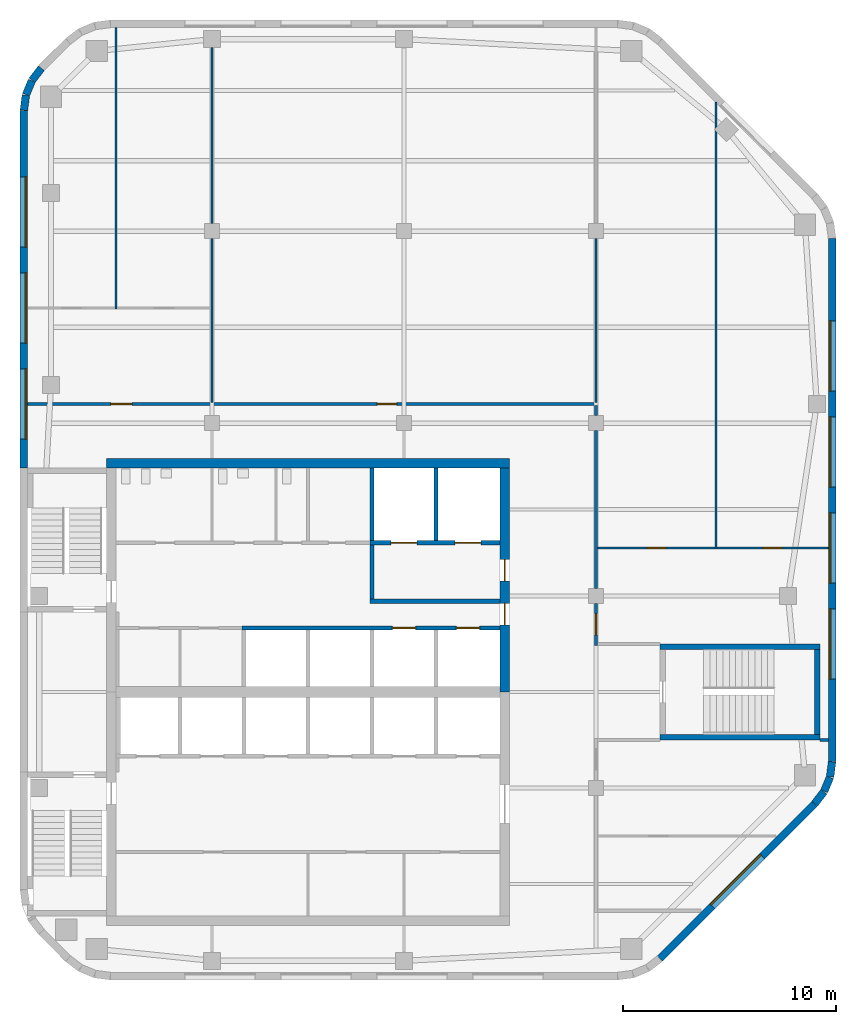
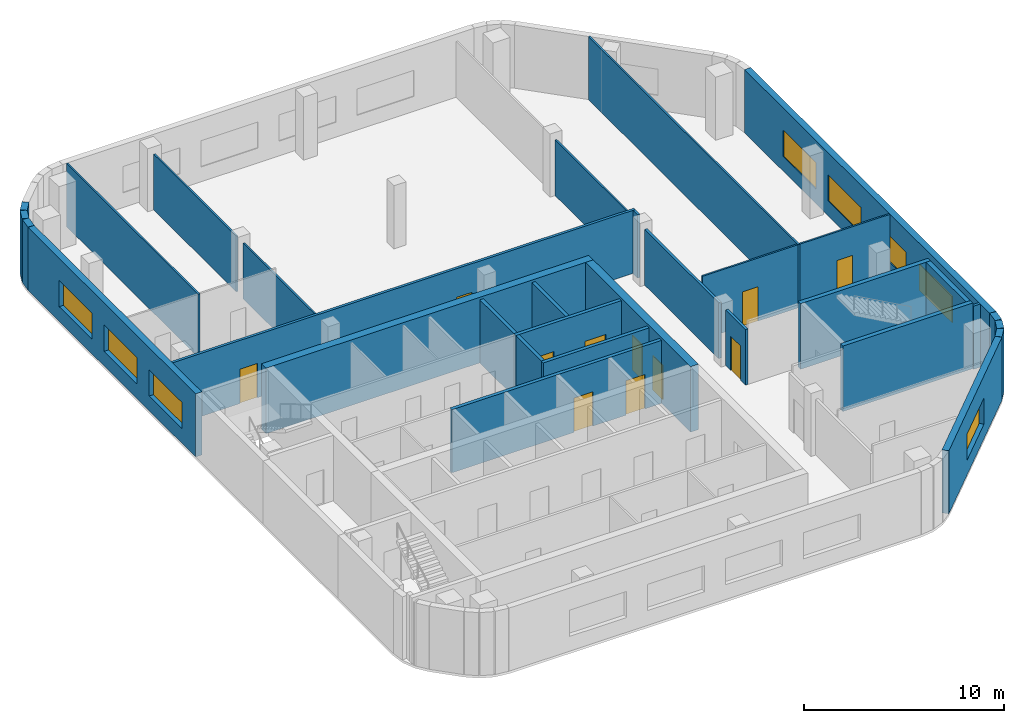
# One storey, part 4 of 7: 32 walls, 11 doors, 8 windows, 19 openings.
"""IFC4 building model written with IfcOpenShell, lengths in metres."""

from ifc_helpers import new_model, si_unit, direction, frame, frame_2d, origin, place, context, subcontext, project, spatial, rectangle, extrude, material, layer, layer_set, type_object, element, fill, save


model = new_model("IFC4")

# Units and contexts
model_context = context("Model", 3, precision=1e-05, world=origin(), true_north=direction((0.0, 1.0)))
body_context = subcontext(model_context, "Body", "Model", "MODEL_VIEW")
ifc_project = project(units=[si_unit("LENGTHUNIT", "METRE"), si_unit("AREAUNIT", "SQUARE_METRE"), si_unit("VOLUMEUNIT", "CUBIC_METRE"), si_unit("PLANEANGLEUNIT", "RADIAN"), si_unit("MASSUNIT", "GRAM", prefix="KILO")], contexts=[model_context])

# Site, building, storey
site_placement = place(None, origin())
site = spatial("IfcSite", under=ifc_project, at=site_placement, CompositionType="ELEMENT")
building_placement = place(site_placement, origin())
building = spatial("IfcBuilding", under=site, at=building_placement, Name="Cinnabar Reach Civic Tower", CompositionType="ELEMENT")
storey_placement = place(building_placement, frame((0.0, 0.0, 271.0)))
storey = spatial("IfcBuildingStorey", under=building, at=storey_placement, Name="L65", CompositionType="ELEMENT", Elevation=271.0)

# Walls
ifc_material_1 = material(Name="Facing brick with insulated backing", Category="masonry")
ifc_layer_1 = layer(ifc_material_1, 0.36)
ifc_layer_set_1 = layer_set([ifc_layer_1], Name="Brick corner wall")
wall_type_1 = type_object("IfcWallType", Name="Brick corner wall", PredefinedType="STANDARD", material=ifc_layer_set_1)
wall_1_placement = place(storey_placement, frame((37.2498, 26.2587, 0.0), z_axis=(0.0, 0.0, 1.0), x_axis=(0.608802368033, 0.793321924995, 0.0)))
element("IfcWall", 1, at=wall_1_placement, inside=storey, type_object=wall_type_1, Name="Brick corner wall", PredefinedType="STANDARD", context=body_context, shape_type="SweptSolid", body=[
    extrude(rectangle(XDim=0.7132, YDim=0.36, at=frame_2d((0.3566, 0.0))), origin(), (0.0, 0.0, 1.0), 3.85),
])
for number, where, z_axis, x_axis, name in (
    (2, (37.6952, 26.8439, 0.0), (0.0, 0.0, 1.0), (0.382702709855, 0.923871547278, 0.0), "Brick corner wall"),
    (3, (37.9739, 27.5244, 0.0), (0.0, 0.0, 1.0), (0.13055608231, 0.99144092581, 0.0), "Brick corner wall"),
):
    element("IfcWall", number, at=place(storey_placement, frame(where, z_axis=z_axis, x_axis=x_axis)), inside=storey, type_object=wall_type_1, Name=name, PredefinedType="STANDARD", context=body_context, shape_type="SweptSolid", body=[
        extrude(rectangle(XDim=0.7131, YDim=0.36, at=frame_2d((0.3565, 0.0))), origin(), (0.0, 0.0, 1.0), 3.85),
    ])
wall_2_placement = place(storey_placement, frame((1.0002, 60.7413, 0.0), z_axis=(0.0, 0.0, 1.0), x_axis=(-0.608802368033, -0.793321924995, 0.0)))
element("IfcWall", 4, at=wall_2_placement, inside=storey, type_object=wall_type_1, Name="Brick corner wall", PredefinedType="STANDARD", context=body_context, shape_type="SweptSolid", body=[
    extrude(rectangle(XDim=0.7132, YDim=0.36, at=frame_2d((0.3566, 0.0))), origin(), (0.0, 0.0, 1.0), 3.85),
])
for number, where, z_axis, x_axis, name in (
    (5, (0.5548, 60.1561, 0.0), (0.0, 0.0, 1.0), (-0.382702709855, -0.923871547278, 0.0), "Brick corner wall"),
    (6, (0.2761, 59.4756, 0.0), (0.0, 0.0, 1.0), (-0.13055608231, -0.99144092581, 0.0), "Brick corner wall"),
):
    element("IfcWall", number, at=place(storey_placement, frame(where, z_axis=z_axis, x_axis=x_axis)), inside=storey, type_object=wall_type_1, Name=name, PredefinedType="STANDARD", context=body_context, shape_type="SweptSolid", body=[
        extrude(rectangle(XDim=0.7131, YDim=0.36, at=frame_2d((0.3565, 0.0))), origin(), (0.0, 0.0, 1.0), 3.85),
    ])

# Wall, opening, window
ifc_layer_2 = layer(ifc_material_1, 0.36)
ifc_layer_set_2 = layer_set([ifc_layer_2], Name="Brick pier and spandrel wall")
wall_type_2 = type_object("IfcWallType", Name="Brick pier and spandrel wall", PredefinedType="STANDARD", material=ifc_layer_set_2)
wall_3_placement = place(storey_placement, frame((30.0014, 19.006, 0.0), z_axis=(0.0, 0.0, 1.0), x_axis=(0.707106781187, 0.707106781187, 0.0)))
wall_3 = element("IfcWall", 7, at=wall_3_placement, inside=storey, type_object=wall_type_2, Name="Brick facade wall", PredefinedType="STANDARD", context=body_context, shape_type="SweptSolid", body=[
    extrude(rectangle(XDim=10.2426, YDim=0.36, at=frame_2d((5.1213, 0.0))), origin(), (0.0, 0.0, 1.0), 3.85),
])
opening_1_placement = place(wall_3_placement, frame((3.4713, 0.0, 0.9)))
opening_1 = element("IfcOpeningElement", 8, at=opening_1_placement, cuts=wall_3, Name="Opening W2283", PredefinedType="OPENING", context=body_context, shape_type="SweptSolid", body=[
    extrude(rectangle(XDim=3.3, YDim=1.6, at=frame_2d((1.65, 0.8))), frame((0.0, 0.19, 0.0), z_axis=(0.0, -1.0, 0.0), x_axis=(1.0, 0.0, 0.0)), (0.0, 0.0, 1.0), 0.38),
])
ifc_material_2 = material(Name="Clear double glazing in aluminium frame", Category="aluminium")
window_type = type_object("IfcWindowType", Name="Deep-set window A", PartitioningType="SINGLE_PANEL", PredefinedType="WINDOW", material=ifc_material_2)
window_1_placement = place(opening_1_placement, origin())
window_1 = element("IfcWindow", 9, at=window_1_placement, inside=storey, type_object=window_type, Name="Window southeast face", OverallHeight=1.6, OverallWidth=3.3, PartitioningType="SINGLE_PANEL", PredefinedType="WINDOW", context=body_context, shape_type="SweptSolid", body=[
    extrude(rectangle(XDim=3.3, YDim=1.6, at=frame_2d((1.65, 0.8))), frame((0.0, 0.13, 0.0), z_axis=(0.0, -1.0, 0.0), x_axis=(1.0, 0.0, 0.0)), (0.0, 0.0, 1.0), 0.06),
])
fill(opening_1, window_1)

# Wall, openings, windows
wall_4_placement = place(storey_placement, frame((38.07, 28.2426, 0.0), z_axis=(0.0, 0.0, 1.0), x_axis=(0.0, 1.0, 0.0)))
wall_4 = element("IfcWall", 10, at=wall_4_placement, inside=storey, type_object=wall_type_2, Name="Brick facade wall", PredefinedType="STANDARD", context=body_context, shape_type="SweptSolid", body=[
    extrude(rectangle(XDim=24.5148, YDim=0.36, at=frame_2d((12.2574, 0.0))), origin(), (0.0, 0.0, 1.0), 3.85),
])
opening_2_placement = place(wall_4_placement, frame((3.8574, 0.0, 0.9)))
opening_2 = element("IfcOpeningElement", 11, at=opening_2_placement, cuts=wall_4, Name="Opening W2284", PredefinedType="OPENING", context=body_context, shape_type="SweptSolid", body=[
    extrude(rectangle(XDim=3.3, YDim=1.6, at=frame_2d((1.65, 0.8))), frame((0.0, 0.19, 0.0), z_axis=(0.0, -1.0, 0.0), x_axis=(1.0, 0.0, 0.0)), (0.0, 0.0, 1.0), 0.38),
])
opening_3_placement = place(wall_4_placement, frame((8.3574, 0.0, 0.9)))
opening_3 = element("IfcOpeningElement", 12, at=opening_3_placement, cuts=wall_4, Name="Opening W2285", PredefinedType="OPENING", context=body_context, shape_type="SweptSolid", body=[
    extrude(rectangle(XDim=3.3, YDim=1.6, at=frame_2d((1.65, 0.8))), frame((0.0, 0.19, 0.0), z_axis=(0.0, -1.0, 0.0), x_axis=(1.0, 0.0, 0.0)), (0.0, 0.0, 1.0), 0.38),
])
opening_4_placement = place(wall_4_placement, frame((12.8574, 0.0, 0.9)))
opening_4 = element("IfcOpeningElement", 13, at=opening_4_placement, cuts=wall_4, Name="Opening W2286", PredefinedType="OPENING", context=body_context, shape_type="SweptSolid", body=[
    extrude(rectangle(XDim=3.3, YDim=1.6, at=frame_2d((1.65, 0.8))), frame((0.0, 0.19, 0.0), z_axis=(0.0, -1.0, 0.0), x_axis=(1.0, 0.0, 0.0)), (0.0, 0.0, 1.0), 0.38),
])
opening_5_placement = place(wall_4_placement, frame((17.3574, 0.0, 0.9)))
opening_5 = element("IfcOpeningElement", 14, at=opening_5_placement, cuts=wall_4, Name="Opening W2287", PredefinedType="OPENING", context=body_context, shape_type="SweptSolid", body=[
    extrude(rectangle(XDim=3.3, YDim=1.6, at=frame_2d((1.65, 0.8))), frame((0.0, 0.19, 0.0), z_axis=(0.0, -1.0, 0.0), x_axis=(1.0, 0.0, 0.0)), (0.0, 0.0, 1.0), 0.38),
])
window_2_placement = place(opening_2_placement, origin())
window_2 = element("IfcWindow", 15, at=window_2_placement, inside=storey, type_object=window_type, Name="Window east face", OverallHeight=1.6, OverallWidth=3.3, PartitioningType="SINGLE_PANEL", PredefinedType="WINDOW", context=body_context, shape_type="SweptSolid", body=[
    extrude(rectangle(XDim=3.3, YDim=1.6, at=frame_2d((1.65, 0.8))), frame((0.0, 0.13, 0.0), z_axis=(0.0, -1.0, 0.0), x_axis=(1.0, 0.0, 0.0)), (0.0, 0.0, 1.0), 0.06),
])
fill(opening_2, window_2)
window_3_placement = place(opening_3_placement, origin())
window_3 = element("IfcWindow", 16, at=window_3_placement, inside=storey, type_object=window_type, Name="Window east face", OverallHeight=1.6, OverallWidth=3.3, PartitioningType="SINGLE_PANEL", PredefinedType="WINDOW", context=body_context, shape_type="SweptSolid", body=[
    extrude(rectangle(XDim=3.3, YDim=1.6, at=frame_2d((1.65, 0.8))), frame((0.0, 0.13, 0.0), z_axis=(0.0, -1.0, 0.0), x_axis=(1.0, 0.0, 0.0)), (0.0, 0.0, 1.0), 0.06),
])
fill(opening_3, window_3)
window_4_placement = place(opening_4_placement, origin())
window_4 = element("IfcWindow", 17, at=window_4_placement, inside=storey, type_object=window_type, Name="Window east face", OverallHeight=1.6, OverallWidth=3.3, PartitioningType="SINGLE_PANEL", PredefinedType="WINDOW", context=body_context, shape_type="SweptSolid", body=[
    extrude(rectangle(XDim=3.3, YDim=1.6, at=frame_2d((1.65, 0.8))), frame((0.0, 0.13, 0.0), z_axis=(0.0, -1.0, 0.0), x_axis=(1.0, 0.0, 0.0)), (0.0, 0.0, 1.0), 0.06),
])
fill(opening_4, window_4)
window_5_placement = place(opening_5_placement, origin())
window_5 = element("IfcWindow", 18, at=window_5_placement, inside=storey, type_object=window_type, Name="Window east face", OverallHeight=1.6, OverallWidth=3.3, PartitioningType="SINGLE_PANEL", PredefinedType="WINDOW", context=body_context, shape_type="SweptSolid", body=[
    extrude(rectangle(XDim=3.3, YDim=1.6, at=frame_2d((1.65, 0.8))), frame((0.0, 0.13, 0.0), z_axis=(0.0, -1.0, 0.0), x_axis=(1.0, 0.0, 0.0)), (0.0, 0.0, 1.0), 0.06),
])
fill(opening_5, window_5)

wall_5_placement = place(storey_placement, frame((0.18, 58.7574, 0.0), z_axis=(0.0, 0.0, 1.0), x_axis=(0.0, -1.0, 0.0)))
wall_5 = element("IfcWall", 19, at=wall_5_placement, inside=storey, type_object=wall_type_2, Name="Brick facade wall", PredefinedType="STANDARD", context=body_context, shape_type="SweptSolid", body=[
    extrude(rectangle(XDim=16.7574, YDim=0.36, at=frame_2d((8.3787, 0.0))), origin(), (0.0, 0.0, 1.0), 3.85),
])
opening_6_placement = place(wall_5_placement, frame((3.1074, 0.0, 0.9)))
opening_6 = element("IfcOpeningElement", 20, at=opening_6_placement, cuts=wall_5, Name="Opening W2293", PredefinedType="OPENING", context=body_context, shape_type="SweptSolid", body=[
    extrude(rectangle(XDim=3.3, YDim=1.6, at=frame_2d((1.65, 0.8))), frame((0.0, 0.19, 0.0), z_axis=(0.0, -1.0, 0.0), x_axis=(1.0, 0.0, 0.0)), (0.0, 0.0, 1.0), 0.38),
])
opening_7_placement = place(wall_5_placement, frame((7.6074, 0.0, 0.9)))
opening_7 = element("IfcOpeningElement", 21, at=opening_7_placement, cuts=wall_5, Name="Opening W2294", PredefinedType="OPENING", context=body_context, shape_type="SweptSolid", body=[
    extrude(rectangle(XDim=3.3, YDim=1.6, at=frame_2d((1.65, 0.8))), frame((0.0, 0.19, 0.0), z_axis=(0.0, -1.0, 0.0), x_axis=(1.0, 0.0, 0.0)), (0.0, 0.0, 1.0), 0.38),
])
opening_8_placement = place(wall_5_placement, frame((12.1074, 0.0, 0.9)))
opening_8 = element("IfcOpeningElement", 22, at=opening_8_placement, cuts=wall_5, Name="Opening W2295", PredefinedType="OPENING", context=body_context, shape_type="SweptSolid", body=[
    extrude(rectangle(XDim=3.3, YDim=1.6, at=frame_2d((1.65, 0.8))), frame((0.0, 0.19, 0.0), z_axis=(0.0, -1.0, 0.0), x_axis=(1.0, 0.0, 0.0)), (0.0, 0.0, 1.0), 0.38),
])
window_6_placement = place(opening_6_placement, origin())
window_6 = element("IfcWindow", 23, at=window_6_placement, inside=storey, type_object=window_type, Name="Window west face", OverallHeight=1.6, OverallWidth=3.3, PartitioningType="SINGLE_PANEL", PredefinedType="WINDOW", context=body_context, shape_type="SweptSolid", body=[
    extrude(rectangle(XDim=3.3, YDim=1.6, at=frame_2d((1.65, 0.8))), frame((0.0, 0.13, 0.0), z_axis=(0.0, -1.0, 0.0), x_axis=(1.0, 0.0, 0.0)), (0.0, 0.0, 1.0), 0.06),
])
fill(opening_6, window_6)
window_7_placement = place(opening_7_placement, origin())
window_7 = element("IfcWindow", 24, at=window_7_placement, inside=storey, type_object=window_type, Name="Window west face", OverallHeight=1.6, OverallWidth=3.3, PartitioningType="SINGLE_PANEL", PredefinedType="WINDOW", context=body_context, shape_type="SweptSolid", body=[
    extrude(rectangle(XDim=3.3, YDim=1.6, at=frame_2d((1.65, 0.8))), frame((0.0, 0.13, 0.0), z_axis=(0.0, -1.0, 0.0), x_axis=(1.0, 0.0, 0.0)), (0.0, 0.0, 1.0), 0.06),
])
fill(opening_7, window_7)
window_8_placement = place(opening_8_placement, origin())
window_8 = element("IfcWindow", 25, at=window_8_placement, inside=storey, type_object=window_type, Name="Window west face", OverallHeight=1.6, OverallWidth=3.3, PartitioningType="SINGLE_PANEL", PredefinedType="WINDOW", context=body_context, shape_type="SweptSolid", body=[
    extrude(rectangle(XDim=3.3, YDim=1.6, at=frame_2d((1.65, 0.8))), frame((0.0, 0.13, 0.0), z_axis=(0.0, -1.0, 0.0), x_axis=(1.0, 0.0, 0.0)), (0.0, 0.0, 1.0), 0.06),
])
fill(opening_8, window_8)

# Wall
ifc_material_3 = material(Name="Concrete C60", Category="concrete")
ifc_layer_3 = layer(ifc_material_3, 0.45)
ifc_layer_set_3 = layer_set([ifc_layer_3], Name="Core wall 450 EI 180")
wall_type_3 = type_object("IfcWallType", Name="Core wall 450 EI 180", PredefinedType="SOLIDWALL", material=ifc_layer_set_3)
wall_6_placement = place(storey_placement, frame((22.95, 42.225, 0.0), z_axis=(0.0, 0.0, 1.0), x_axis=(-1.0, 0.0, 0.0)))
element("IfcWall", 26, at=wall_6_placement, inside=storey, type_object=wall_type_3, Name="Core wall T1 L65 N", PredefinedType="SOLIDWALL", context=body_context, shape_type="SweptSolid", body=[
    extrude(rectangle(XDim=18.9, YDim=0.45, at=frame_2d((9.45, 0.0))), origin(), (0.0, 0.0, 1.0), 4.0),
])

# Wall, openings, doors
wall_7_placement = place(storey_placement, frame((22.725, 31.5, 0.0), z_axis=(0.0, 0.0, 1.0), x_axis=(0.0, 1.0, 0.0)))
wall_7 = element("IfcWall", 27, at=wall_7_placement, inside=storey, type_object=wall_type_3, Name="Core wall T1 L65 E2", PredefinedType="SOLIDWALL", context=body_context, shape_type="SweptSolid", body=[
    extrude(rectangle(XDim=10.5, YDim=0.45, at=frame_2d((5.25, 0.0))), origin(), (0.0, 0.0, 1.0), 4.0),
])
opening_9_placement = place(wall_7_placement, frame((3.15, 0.0, 0.0)))
opening_9 = element("IfcOpeningElement", 28, at=opening_9_placement, cuts=wall_7, Name="Opening D5599", PredefinedType="OPENING", context=body_context, shape_type="SweptSolid", body=[
    extrude(rectangle(XDim=1.0, YDim=2.1, at=frame_2d((0.5, 1.05))), frame((0.0, 0.235, 0.0), z_axis=(0.0, -1.0, 0.0), x_axis=(1.0, 0.0, 0.0)), (0.0, 0.0, 1.0), 0.47),
])
opening_10_placement = place(wall_7_placement, frame((5.2, 0.0, 0.0)))
opening_10 = element("IfcOpeningElement", 29, at=opening_10_placement, cuts=wall_7, Name="Opening D5600", PredefinedType="OPENING", context=body_context, shape_type="SweptSolid", body=[
    extrude(rectangle(XDim=1.0, YDim=2.1, at=frame_2d((0.5, 1.05))), frame((0.0, 0.235, 0.0), z_axis=(0.0, -1.0, 0.0), x_axis=(1.0, 0.0, 0.0)), (0.0, 0.0, 1.0), 0.47),
])
ifc_material_4 = material(Name="Timber door leaf in steel frame", Category="steel")
door_type_1 = type_object("IfcDoorType", Name="Firefighting lobby door 1000 x 2100 T1", OperationType="SINGLE_SWING_LEFT", PredefinedType="DOOR", material=ifc_material_4)
door_1_placement = place(opening_10_placement, origin())
door_1 = element("IfcDoor", 30, at=door_1_placement, inside=storey, type_object=door_type_1, Name="Door D5600", OperationType="SINGLE_SWING_RIGHT", OverallHeight=2.1, OverallWidth=1.0, PredefinedType="DOOR", context=body_context, shape_type="SweptSolid", body=[
    extrude(rectangle(XDim=1.0, YDim=2.1, at=frame_2d((0.5, 1.05))), frame((0.0, 0.025, 0.0), z_axis=(0.0, -1.0, 0.0), x_axis=(1.0, 0.0, 0.0)), (0.0, 0.0, 1.0), 0.05),
])
fill(opening_10, door_1)
door_type_2 = type_object("IfcDoorType", Name="Single swing door 1000 x 2100 T1", OperationType="SINGLE_SWING_LEFT", PredefinedType="DOOR", material=ifc_material_4)
door_2_placement = place(opening_9_placement, origin())
door_2 = element("IfcDoor", 31, at=door_2_placement, inside=storey, type_object=door_type_2, Name="Door D5599", OperationType="SINGLE_SWING_RIGHT", OverallHeight=2.1, OverallWidth=1.0, PredefinedType="DOOR", context=body_context, shape_type="SweptSolid", body=[
    extrude(rectangle(XDim=1.0, YDim=2.1, at=frame_2d((0.5, 1.05))), frame((0.0, 0.025, 0.0), z_axis=(0.0, -1.0, 0.0), x_axis=(1.0, 0.0, 0.0)), (0.0, 0.0, 1.0), 0.05),
])
fill(opening_9, door_2)

ifc_material_5 = material(Name="Gypsum board on steel studs, double layer", Category="steel")
ifc_layer_4 = layer(ifc_material_5, 0.15)
ifc_layer_set_4 = layer_set([ifc_layer_4], Name="Corridor wall 150 T1")
wall_type_4 = type_object("IfcWallType", Name="Corridor wall 150 T1", PredefinedType="PARTITIONING", material=ifc_layer_set_4)
wall_8_placement = place(storey_placement, frame((0.36, 45.0, 0.0), z_axis=(0.0, 0.0, 1.0), x_axis=(1.0, 0.0, 0.0)))
wall_8 = element("IfcWall", 32, at=wall_8_placement, inside=storey, type_object=wall_type_4, Name="Corridor wall 18", PredefinedType="PARTITIONING", context=body_context, shape_type="SweptSolid", body=[
    extrude(rectangle(XDim=26.715, YDim=0.15, at=frame_2d((13.3575, 0.0))), origin(), (0.0, 0.0, 1.0), 3.85),
])
opening_11_placement = place(wall_8_placement, frame((3.9, 0.0, 0.0)))
opening_11 = element("IfcOpeningElement", 33, at=opening_11_placement, cuts=wall_8, Name="Opening D5616", PredefinedType="OPENING", context=body_context, shape_type="SweptSolid", body=[
    extrude(rectangle(XDim=1.0, YDim=2.1, at=frame_2d((0.5, 1.05))), frame((0.0, 0.085, 0.0), z_axis=(0.0, -1.0, 0.0), x_axis=(1.0, 0.0, 0.0)), (0.0, 0.0, 1.0), 0.17),
])
opening_12_placement = place(wall_8_placement, frame((16.39, 0.0, 0.0)))
opening_12 = element("IfcOpeningElement", 34, at=opening_12_placement, cuts=wall_8, Name="Opening D5619", PredefinedType="OPENING", context=body_context, shape_type="SweptSolid", body=[
    extrude(rectangle(XDim=0.9, YDim=2.1, at=frame_2d((0.45, 1.05))), frame((0.0, 0.085, 0.0), z_axis=(0.0, -1.0, 0.0), x_axis=(1.0, 0.0, 0.0)), (0.0, 0.0, 1.0), 0.17),
])
door_type_3 = type_object("IfcDoorType", Name="Single swing door 900 x 2100 corridor T1", OperationType="SINGLE_SWING_LEFT", PredefinedType="DOOR", material=ifc_material_4)
door_3_placement = place(opening_12_placement, origin())
door_3 = element("IfcDoor", 35, at=door_3_placement, inside=storey, type_object=door_type_3, Name="Door D5619", OperationType="SINGLE_SWING_RIGHT", OverallHeight=2.1, OverallWidth=0.9, PredefinedType="DOOR", context=body_context, shape_type="SweptSolid", body=[
    extrude(rectangle(XDim=0.9, YDim=2.1, at=frame_2d((0.45, 1.05))), frame((0.0, 0.025, 0.0), z_axis=(0.0, -1.0, 0.0), x_axis=(1.0, 0.0, 0.0)), (0.0, 0.0, 1.0), 0.05),
])
fill(opening_12, door_3)
door_type_4 = type_object("IfcDoorType", Name="Tenancy entrance door 1000 x 2100 T1", OperationType="SINGLE_SWING_LEFT", PredefinedType="DOOR", material=ifc_material_4)
door_4_placement = place(opening_11_placement, origin())
door_4 = element("IfcDoor", 36, at=door_4_placement, inside=storey, type_object=door_type_4, Name="Door D5616", OperationType="SINGLE_SWING_LEFT", OverallHeight=2.1, OverallWidth=1.0, PredefinedType="DOOR", context=body_context, shape_type="SweptSolid", body=[
    extrude(rectangle(XDim=1.0, YDim=2.1, at=frame_2d((0.5, 1.05))), frame((0.0, 0.025, 0.0), z_axis=(0.0, -1.0, 0.0), x_axis=(1.0, 0.0, 0.0)), (0.0, 0.0, 1.0), 0.05),
])
fill(opening_11, door_4)

# Wall, opening, door
wall_9_placement = place(storey_placement, frame((27.0, 33.675, 0.0), z_axis=(0.0, 0.0, 1.0), x_axis=(0.0, 1.0, 0.0)))
wall_9 = element("IfcWall", 37, at=wall_9_placement, inside=storey, type_object=wall_type_4, Name="Corridor wall 21", PredefinedType="PARTITIONING", context=body_context, shape_type="SweptSolid", body=[
    extrude(rectangle(XDim=1.975, YDim=0.15, at=frame_2d((0.9875, 0.0))), origin(), (0.0, 0.0, 1.0), 3.4),
])
opening_13_placement = place(wall_9_placement, frame((0.5, 0.0, 0.0)))
opening_13 = element("IfcOpeningElement", 38, at=opening_13_placement, cuts=wall_9, Name="Opening D5611", PredefinedType="OPENING", context=body_context, shape_type="SweptSolid", body=[
    extrude(rectangle(XDim=1.0, YDim=2.1, at=frame_2d((0.5, 1.05))), frame((0.0, 0.085, 0.0), z_axis=(0.0, -1.0, 0.0), x_axis=(1.0, 0.0, 0.0)), (0.0, 0.0, 1.0), 0.17),
])
door_5_placement = place(opening_13_placement, frame((1.0, 0.0, 0.0), z_axis=(0.0, 0.0, 1.0), x_axis=(-1.0, 0.0, 0.0)))
door_5 = element("IfcDoor", 39, at=door_5_placement, inside=storey, type_object=door_type_4, Name="Door D5611", OperationType="SINGLE_SWING_RIGHT", OverallHeight=2.1, OverallWidth=1.0, PredefinedType="DOOR", context=body_context, shape_type="SweptSolid", body=[
    extrude(rectangle(XDim=1.0, YDim=2.1, at=frame_2d((0.5, 1.05))), frame((0.0, 0.025, 0.0), z_axis=(0.0, -1.0, 0.0), x_axis=(1.0, 0.0, 0.0)), (0.0, 0.0, 1.0), 0.05),
])
fill(opening_13, door_5)

# Walls
wall_10_placement = place(storey_placement, frame((27.0, 36.35, 0.0), z_axis=(0.0, 0.0, 1.0), x_axis=(0.0, 1.0, 0.0)))
element("IfcWall", 40, at=wall_10_placement, inside=storey, type_object=wall_type_4, Name="Corridor wall 22", PredefinedType="PARTITIONING", context=body_context, shape_type="SweptSolid", body=[
    extrude(rectangle(XDim=7.4, YDim=0.15, at=frame_2d((3.7, 0.0))), origin(), (0.0, 0.0, 1.0), 3.4),
])
wall_11_placement = place(storey_placement, frame((27.0, 44.45, 0.0), z_axis=(0.0, 0.0, 1.0), x_axis=(0.0, 1.0, 0.0)))
element("IfcWall", 41, at=wall_11_placement, inside=storey, type_object=wall_type_4, Name="Corridor wall 23", PredefinedType="PARTITIONING", context=body_context, shape_type="SweptSolid", body=[
    extrude(rectangle(XDim=0.475, YDim=0.15, at=frame_2d((0.2375, 0.0))), origin(), (0.0, 0.0, 1.0), 3.85),
])

# Wall, openings, doors
ifc_material_6 = material(Name="Blockwork", Category="masonry")
ifc_layer_5 = layer(ifc_material_6, 0.2)
ifc_layer_set_5 = layer_set([ifc_layer_5], Name="Lift shaft wall 200 T1")
wall_type_5 = type_object("IfcWallType", Name="Lift shaft wall 200 T1", PredefinedType="PARTITIONING", material=ifc_layer_set_5)
wall_12_placement = place(storey_placement, frame((10.4, 34.5, 0.0), z_axis=(0.0, 0.0, 1.0), x_axis=(1.0, 0.0, 0.0)))
wall_12 = element("IfcWall", 42, at=wall_12_placement, inside=storey, type_object=wall_type_5, Name="Lift shaft wall 5", PredefinedType="PARTITIONING", context=body_context, shape_type="SweptSolid", body=[
    extrude(rectangle(XDim=12.1, YDim=0.2, at=frame_2d((6.05, 0.0))), origin(), (0.0, 0.0, 1.0), 3.85),
])
opening_14_placement = place(wall_12_placement, frame((7.05, 0.0, 0.0)))
opening_14 = element("IfcOpeningElement", 43, at=opening_14_placement, cuts=wall_12, Name="Opening D5594", PredefinedType="OPENING", context=body_context, shape_type="SweptSolid", body=[
    extrude(rectangle(XDim=1.1, YDim=2.1, at=frame_2d((0.55, 1.05))), frame((0.0, 0.11, 0.0), z_axis=(0.0, -1.0, 0.0), x_axis=(1.0, 0.0, 0.0)), (0.0, 0.0, 1.0), 0.22),
])
opening_15_placement = place(wall_12_placement, frame((10.05, 0.0, 0.0)))
opening_15 = element("IfcOpeningElement", 44, at=opening_15_placement, cuts=wall_12, Name="Opening D5595", PredefinedType="OPENING", context=body_context, shape_type="SweptSolid", body=[
    extrude(rectangle(XDim=1.1, YDim=2.1, at=frame_2d((0.55, 1.05))), frame((0.0, 0.11, 0.0), z_axis=(0.0, -1.0, 0.0), x_axis=(1.0, 0.0, 0.0)), (0.0, 0.0, 1.0), 0.22),
])
ifc_material_7 = material(Name="Stainless steel sliding door", Category="steel")
door_type_5 = type_object("IfcDoorType", Name="Lift landing door 1100 x 2100 T1", OperationType="SLIDING_TO_LEFT", PredefinedType="DOOR", material=ifc_material_7)
door_6_placement = place(opening_14_placement, origin())
door_6 = element("IfcDoor", 45, at=door_6_placement, inside=storey, type_object=door_type_5, Name="Lift landing door SV1 L65", OperationType="SLIDING_TO_LEFT", OverallHeight=2.1, OverallWidth=1.1, PredefinedType="DOOR", context=body_context, shape_type="SweptSolid", body=[
    extrude(rectangle(XDim=1.1, YDim=2.1, at=frame_2d((0.55, 1.05))), frame((0.0, 0.025, 0.0), z_axis=(0.0, -1.0, 0.0), x_axis=(1.0, 0.0, 0.0)), (0.0, 0.0, 1.0), 0.05),
])
fill(opening_14, door_6)
door_7_placement = place(opening_15_placement, origin())
door_7 = element("IfcDoor", 46, at=door_7_placement, inside=storey, type_object=door_type_5, Name="Lift landing door SV2 L65", OperationType="SLIDING_TO_LEFT", OverallHeight=2.1, OverallWidth=1.1, PredefinedType="DOOR", context=body_context, shape_type="SweptSolid", body=[
    extrude(rectangle(XDim=1.1, YDim=2.1, at=frame_2d((0.55, 1.05))), frame((0.0, 0.025, 0.0), z_axis=(0.0, -1.0, 0.0), x_axis=(1.0, 0.0, 0.0)), (0.0, 0.0, 1.0), 0.05),
])
fill(opening_15, door_7)

# Walls
for number, where, z_axis, x_axis, name in (
    (47, (16.5, 38.6, 0.0), (0.0, 0.0, 1.0), (0.0, 1.0, 0.0), "Lift shaft wall 14"),
    (48, (19.5, 38.6, 0.0), (0.0, 0.0, 1.0), (0.0, 1.0, 0.0), "Lift shaft wall 15"),
):
    element("IfcWall", number, at=place(storey_placement, frame(where, z_axis=z_axis, x_axis=x_axis)), inside=storey, type_object=wall_type_5, Name=name, PredefinedType="PARTITIONING", context=body_context, shape_type="SweptSolid", body=[
        extrude(rectangle(XDim=3.4, YDim=0.2, at=frame_2d((1.7, 0.0))), origin(), (0.0, 0.0, 1.0), 3.85),
    ])
ifc_material_8 = material(Name="Gypsum board on steel studs", Category="steel")
ifc_layer_6 = layer(ifc_material_8, 0.1)
ifc_layer_set_6 = layer_set([ifc_layer_6], Name="Partition wall 100 T1")
wall_type_6 = type_object("IfcWallType", Name="Partition wall 100 T1", PredefinedType="PARTITIONING", material=ifc_layer_set_6)
wall_13_placement = place(storey_placement, frame((32.625, 38.2, 0.0), z_axis=(0.0, 0.0, 1.0), x_axis=(0.0, 1.0, 0.0)))
element("IfcWall", 49, at=wall_13_placement, inside=storey, type_object=wall_type_6, Name="Partition wall 35", PredefinedType="PARTITIONING", context=body_context, shape_type="SweptSolid", body=[
    extrude(rectangle(XDim=20.9659, YDim=0.1, at=frame_2d((10.483, 0.0))), origin(), (0.0, 0.0, 1.0), 3.85),
])
wall_14_placement = place(storey_placement, frame((9.0, 45.075, 0.0), z_axis=(0.0, 0.0, 1.0), x_axis=(0.0, 1.0, 0.0)))
element("IfcWall", 50, at=wall_14_placement, inside=storey, type_object=wall_type_6, Name="Partition wall 36", PredefinedType="PARTITIONING", context=body_context, shape_type="SweptSolid", body=[
    extrude(rectangle(XDim=7.675, YDim=0.1, at=frame_2d((3.8375, 0.0))), origin(), (0.0, 0.0, 1.0), 3.4),
])
wall_15_placement = place(storey_placement, frame((9.0, 53.45, 0.0), z_axis=(0.0, 0.0, 1.0), x_axis=(0.0, 1.0, 0.0)))
element("IfcWall", 51, at=wall_15_placement, inside=storey, type_object=wall_type_6, Name="Partition wall 37", PredefinedType="PARTITIONING", context=body_context, shape_type="SweptSolid", body=[
    extrude(rectangle(XDim=8.25, YDim=0.1, at=frame_2d((4.125, 0.0))), origin(), (0.0, 0.0, 1.0), 3.4),
])
wall_16_placement = place(storey_placement, frame((27.0, 45.075, 0.0), z_axis=(0.0, 0.0, 1.0), x_axis=(0.0, 1.0, 0.0)))
element("IfcWall", 52, at=wall_16_placement, inside=storey, type_object=wall_type_6, Name="Partition wall 38", PredefinedType="PARTITIONING", context=body_context, shape_type="SweptSolid", body=[
    extrude(rectangle(XDim=7.675, YDim=0.1, at=frame_2d((3.8375, 0.0))), origin(), (0.0, 0.0, 1.0), 3.4),
])
wall_17_placement = place(storey_placement, frame((4.5, 49.45, 0.0), z_axis=(0.0, 0.0, 1.0), x_axis=(0.0, 1.0, 0.0)))
element("IfcWall", 53, at=wall_17_placement, inside=storey, type_object=wall_type_6, Name="Partition wall 40", PredefinedType="PARTITIONING", context=body_context, shape_type="SweptSolid", body=[
    extrude(rectangle(XDim=13.19, YDim=0.1, at=frame_2d((6.595, 0.0))), origin(), (0.0, 0.0, 1.0), 3.85),
])

# Wall, opening, door
wall_18_placement = place(storey_placement, frame((27.075, 38.25, 0.0), z_axis=(0.0, 0.0, 1.0), x_axis=(1.0, 0.0, 0.0)))
wall_18 = element("IfcWall", 54, at=wall_18_placement, inside=storey, type_object=wall_type_6, Name="Partition wall 41", PredefinedType="PARTITIONING", context=body_context, shape_type="SweptSolid", body=[
    extrude(rectangle(XDim=5.5, YDim=0.1, at=frame_2d((2.75, 0.0))), origin(), (0.0, 0.0, 1.0), 3.85),
])
opening_16_placement = place(wall_18_placement, frame((2.3, 0.0, 0.0)))
opening_16 = element("IfcOpeningElement", 55, at=opening_16_placement, cuts=wall_18, Name="Opening D5612", PredefinedType="OPENING", context=body_context, shape_type="SweptSolid", body=[
    extrude(rectangle(XDim=0.9, YDim=2.1, at=frame_2d((0.45, 1.05))), frame((0.0, 0.06, 0.0), z_axis=(0.0, -1.0, 0.0), x_axis=(1.0, 0.0, 0.0)), (0.0, 0.0, 1.0), 0.12),
])
door_type_6 = type_object("IfcDoorType", Name="Single swing door 900 x 2100 T1", OperationType="SINGLE_SWING_LEFT", PredefinedType="DOOR", material=ifc_material_4)
door_8_placement = place(opening_16_placement, frame((0.9, 0.0, 0.0), z_axis=(0.0, 0.0, 1.0), x_axis=(-1.0, 0.0, 0.0)))
door_8 = element("IfcDoor", 56, at=door_8_placement, inside=storey, type_object=door_type_6, Name="Door D5612", OperationType="SINGLE_SWING_RIGHT", OverallHeight=2.1, OverallWidth=0.9, PredefinedType="DOOR", context=body_context, shape_type="SweptSolid", body=[
    extrude(rectangle(XDim=0.9, YDim=2.1, at=frame_2d((0.45, 1.05))), frame((0.0, 0.025, 0.0), z_axis=(0.0, -1.0, 0.0), x_axis=(1.0, 0.0, 0.0)), (0.0, 0.0, 1.0), 0.05),
])
fill(opening_16, door_8)

wall_19_placement = place(storey_placement, frame((32.675, 38.25, 0.0), z_axis=(0.0, 0.0, 1.0), x_axis=(1.0, 0.0, 0.0)))
wall_19 = element("IfcWall", 57, at=wall_19_placement, inside=storey, type_object=wall_type_6, Name="Partition wall 42", PredefinedType="PARTITIONING", context=body_context, shape_type="SweptSolid", body=[
    extrude(rectangle(XDim=5.215, YDim=0.1, at=frame_2d((2.6075, 0.0))), origin(), (0.0, 0.0, 1.0), 3.85),
])
opening_17_placement = place(wall_19_placement, frame((2.15, 0.0, 0.0)))
opening_17 = element("IfcOpeningElement", 58, at=opening_17_placement, cuts=wall_19, Name="Opening D5613", PredefinedType="OPENING", context=body_context, shape_type="SweptSolid", body=[
    extrude(rectangle(XDim=0.9, YDim=2.1, at=frame_2d((0.45, 1.05))), frame((0.0, 0.06, 0.0), z_axis=(0.0, -1.0, 0.0), x_axis=(1.0, 0.0, 0.0)), (0.0, 0.0, 1.0), 0.12),
])
door_9_placement = place(opening_17_placement, frame((0.9, 0.0, 0.0), z_axis=(0.0, 0.0, 1.0), x_axis=(-1.0, 0.0, 0.0)))
door_9 = element("IfcDoor", 59, at=door_9_placement, inside=storey, type_object=door_type_6, Name="Door D5613", OperationType="SINGLE_SWING_LEFT", OverallHeight=2.1, OverallWidth=0.9, PredefinedType="DOOR", context=body_context, shape_type="SweptSolid", body=[
    extrude(rectangle(XDim=0.9, YDim=2.1, at=frame_2d((0.45, 1.05))), frame((0.0, 0.025, 0.0), z_axis=(0.0, -1.0, 0.0), x_axis=(1.0, 0.0, 0.0)), (0.0, 0.0, 1.0), 0.05),
])
fill(opening_17, door_9)

# Wall
ifc_material_9 = material(Name="Concrete C40", Category="concrete")
ifc_layer_7 = layer(ifc_material_9, 0.2)
ifc_layer_set_7 = layer_set([ifc_layer_7], Name="Refuge compartment wall 200 T1")
wall_type_7 = type_object("IfcWallType", Name="Refuge compartment wall 200 T1", PredefinedType="PARTITIONING", material=ifc_layer_set_7)
wall_20_placement = place(storey_placement, frame((16.4, 35.75, 0.0), z_axis=(0.0, 0.0, 1.0), x_axis=(1.0, 0.0, 0.0)))
element("IfcWall", 60, at=wall_20_placement, inside=storey, type_object=wall_type_7, Name="Refuge compartment wall 1", PredefinedType="PARTITIONING", context=body_context, shape_type="SweptSolid", body=[
    extrude(rectangle(XDim=6.1, YDim=0.2, at=frame_2d((3.05, 0.0))), origin(), (0.0, 0.0, 1.0), 3.85),
])

# Wall, openings, doors
wall_21_placement = place(storey_placement, frame((16.4, 38.5, 0.0), z_axis=(0.0, 0.0, 1.0), x_axis=(1.0, 0.0, 0.0)))
wall_21 = element("IfcWall", 61, at=wall_21_placement, inside=storey, type_object=wall_type_7, Name="Refuge compartment wall 2", PredefinedType="PARTITIONING", context=body_context, shape_type="SweptSolid", body=[
    extrude(rectangle(XDim=6.1, YDim=0.2, at=frame_2d((3.05, 0.0))), origin(), (0.0, 0.0, 1.0), 3.85),
])
opening_18_placement = place(wall_21_placement, frame((1.0, 0.0, 0.0)))
opening_18 = element("IfcOpeningElement", 62, at=opening_18_placement, cuts=wall_21, Name="Opening D5596", PredefinedType="OPENING", context=body_context, shape_type="SweptSolid", body=[
    extrude(rectangle(XDim=1.2, YDim=2.1, at=frame_2d((0.6, 1.05))), frame((0.0, 0.11, 0.0), z_axis=(0.0, -1.0, 0.0), x_axis=(1.0, 0.0, 0.0)), (0.0, 0.0, 1.0), 0.22),
])
opening_19_placement = place(wall_21_placement, frame((4.0, 0.0, 0.0)))
opening_19 = element("IfcOpeningElement", 63, at=opening_19_placement, cuts=wall_21, Name="Opening D5597", PredefinedType="OPENING", context=body_context, shape_type="SweptSolid", body=[
    extrude(rectangle(XDim=1.2, YDim=2.1, at=frame_2d((0.6, 1.05))), frame((0.0, 0.11, 0.0), z_axis=(0.0, -1.0, 0.0), x_axis=(1.0, 0.0, 0.0)), (0.0, 0.0, 1.0), 0.22),
])
door_type_7 = type_object("IfcDoorType", Name="Firefighting lift landing door 1200 x 2100 T1", OperationType="SLIDING_TO_LEFT", PredefinedType="DOOR", material=ifc_material_7)
door_10_placement = place(opening_18_placement, origin())
door_10 = element("IfcDoor", 64, at=door_10_placement, inside=storey, type_object=door_type_7, Name="Lift landing door FF1 L65", OperationType="SLIDING_TO_LEFT", OverallHeight=2.1, OverallWidth=1.2, PredefinedType="DOOR", context=body_context, shape_type="SweptSolid", body=[
    extrude(rectangle(XDim=1.2, YDim=2.1, at=frame_2d((0.6, 1.05))), frame((0.0, 0.025, 0.0), z_axis=(0.0, -1.0, 0.0), x_axis=(1.0, 0.0, 0.0)), (0.0, 0.0, 1.0), 0.05),
])
fill(opening_18, door_10)
door_11_placement = place(opening_19_placement, origin())
door_11 = element("IfcDoor", 65, at=door_11_placement, inside=storey, type_object=door_type_7, Name="Lift landing door FF2 L65", OperationType="SLIDING_TO_LEFT", OverallHeight=2.1, OverallWidth=1.2, PredefinedType="DOOR", context=body_context, shape_type="SweptSolid", body=[
    extrude(rectangle(XDim=1.2, YDim=2.1, at=frame_2d((0.6, 1.05))), frame((0.0, 0.025, 0.0), z_axis=(0.0, -1.0, 0.0), x_axis=(1.0, 0.0, 0.0)), (0.0, 0.0, 1.0), 0.05),
])
fill(opening_19, door_11)

# Walls
wall_22_placement = place(storey_placement, frame((16.5, 35.85, 0.0), z_axis=(0.0, 0.0, 1.0), x_axis=(0.0, 1.0, 0.0)))
element("IfcWall", 66, at=wall_22_placement, inside=storey, type_object=wall_type_7, Name="Refuge compartment wall 3", PredefinedType="PARTITIONING", context=body_context, shape_type="SweptSolid", body=[
    extrude(rectangle(XDim=2.55, YDim=0.2, at=frame_2d((1.275, 0.0))), origin(), (0.0, 0.0, 1.0), 3.85),
])
ifc_layer_8 = layer(ifc_material_3, 0.25)
ifc_layer_set_8 = layer_set([ifc_layer_8], Name="Stair shaft wall 250 EI 120")
wall_type_8 = type_object("IfcWallType", Name="Stair shaft wall 250 EI 120", PredefinedType="SOLIDWALL", material=ifc_layer_set_8)
for number, where, z_axis, x_axis, name in (
    (67, (30.0, 29.375, 0.0), (0.0, 0.0, 1.0), (1.0, 0.0, 0.0), "Stair shaft wall T1-S3 L65"),
    (68, (37.5, 33.625, 0.0), (0.0, 0.0, 1.0), (-1.0, 0.0, 0.0), "Stair shaft wall T1-S3 L65"),
):
    element("IfcWall", number, at=place(storey_placement, frame(where, z_axis=z_axis, x_axis=x_axis)), inside=storey, type_object=wall_type_8, Name=name, PredefinedType="SOLIDWALL", context=body_context, shape_type="SweptSolid", body=[
        extrude(rectangle(XDim=7.5, YDim=0.25, at=frame_2d((3.75, 0.0))), origin(), (0.0, 0.0, 1.0), 4.0),
    ])
wall_23_placement = place(storey_placement, frame((37.375, 29.5, 0.0), z_axis=(0.0, 0.0, 1.0), x_axis=(0.0, 1.0, 0.0)))
element("IfcWall", 69, at=wall_23_placement, inside=storey, type_object=wall_type_8, Name="Stair shaft wall T1-S3 L65", PredefinedType="SOLIDWALL", context=body_context, shape_type="SweptSolid", body=[
    extrude(rectangle(XDim=4.0, YDim=0.25, at=frame_2d((2.0, 0.0))), origin(), (0.0, 0.0, 1.0), 4.0),
])
ifc_layer_9 = layer(ifc_material_5, 0.15)
ifc_layer_set_9 = layer_set([ifc_layer_9], Name="Tenancy separating wall 150 T1")
wall_type_9 = type_object("IfcWallType", Name="Tenancy separating wall 150 T1", PredefinedType="PARTITIONING", material=ifc_layer_set_9)
wall_24_placement = place(storey_placement, frame((37.5, 29.25, 0.0), z_axis=(0.0, 0.0, 1.0), x_axis=(1.0, 0.0, 0.0)))
element("IfcWall", 70, at=wall_24_placement, inside=storey, type_object=wall_type_9, Name="Tenancy separating wall 34", PredefinedType="PARTITIONING", context=body_context, shape_type="SweptSolid", body=[
    extrude(rectangle(XDim=0.39, YDim=0.15, at=frame_2d((0.195, 0.0))), origin(), (0.0, 0.0, 1.0), 3.85),
])

save(model, "model.ifc")
